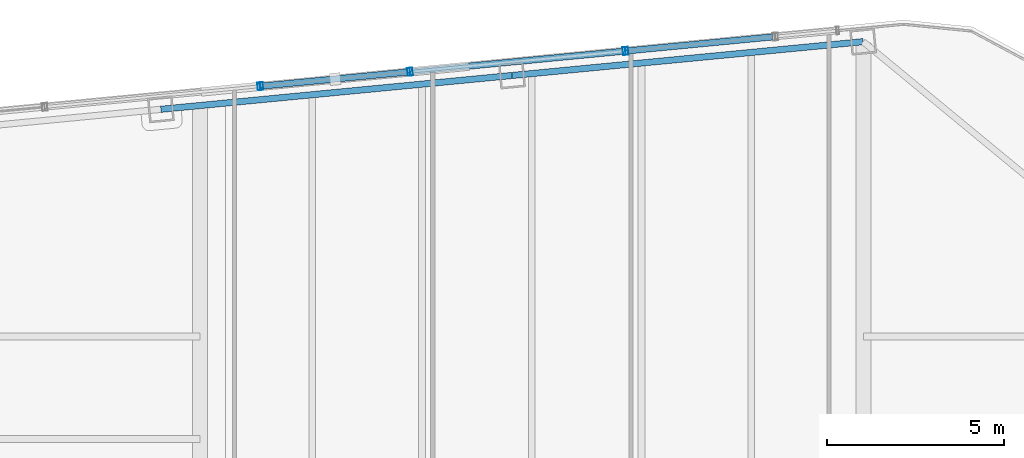
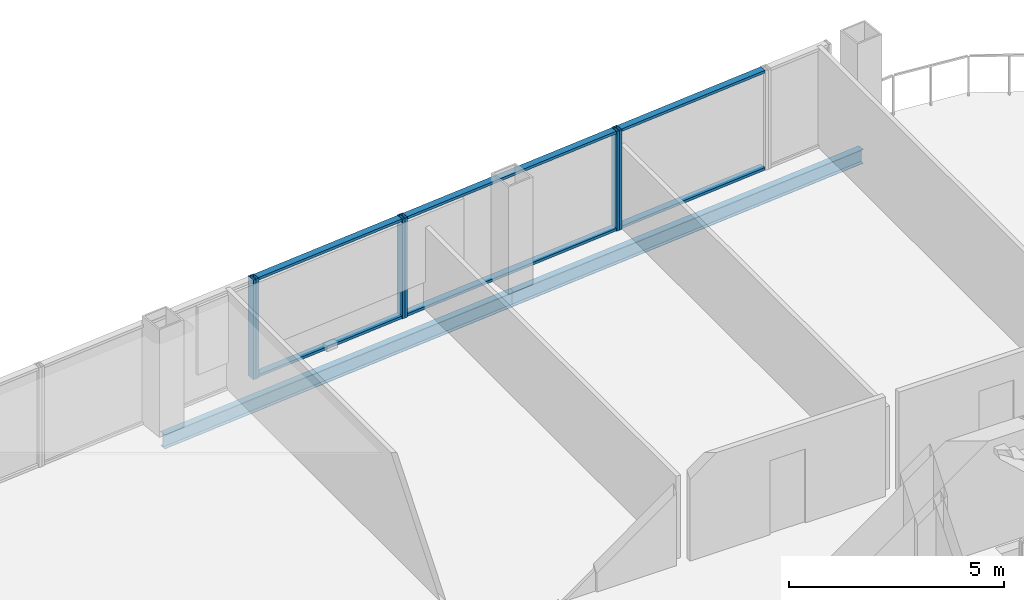
# One storey, part 14 of 22: 12 members, 2 beams, 4 elements without a shape of their own.
"""IFC4 building model written with IfcOpenShell, lengths in metres."""

from ifc_helpers import new_model, si_unit, direction, frame, origin, origin_2d, place, context, subcontext, project, spatial, hollow_rectangle, i_section, extrude, material, layer, layer_set, material_profile, profile_set, type_object, element, aggregate, save


model = new_model("IFC4")

# Units and contexts
model_context = context("Model", 3, precision=1e-05, world=origin(), true_north=direction((0.0, 1.0)))
body_context = subcontext(model_context, "Body", "Model", "MODEL_VIEW")
ifc_project = project(units=[si_unit("LENGTHUNIT", "METRE"), si_unit("AREAUNIT", "SQUARE_METRE"), si_unit("VOLUMEUNIT", "CUBIC_METRE"), si_unit("PLANEANGLEUNIT", "RADIAN"), si_unit("MASSUNIT", "GRAM", prefix="KILO")], contexts=[model_context])

# Site, building, storey
site_placement = place(None, origin())
site = spatial("IfcSite", under=ifc_project, at=site_placement, CompositionType="ELEMENT")
building_placement = place(site_placement, origin())
building = spatial("IfcBuilding", under=site, at=building_placement, Name="Qhalaya Broadcast Tower", CompositionType="ELEMENT")
storey_placement = place(building_placement, frame((0.0, 0.0, 171.39990234375)))
storey = spatial("IfcBuildingStorey", under=building, at=storey_placement, Name="L50", CompositionType="ELEMENT", Elevation=171.39990234375)

# Curtain wall, member
ifc_material_1 = material(Name="Solar-Control Low-E Triple Glazing", Category="glass")
ifc_layer_1 = layer(ifc_material_1, 0.219970703125, Name="Solar-Control Low-E Triple Glazing")
ifc_layer_set_1 = layer_set([ifc_layer_1], Name="Solar-Control Low-E Triple Glazing")
curtain_wall_type_1 = type_object("IfcCurtainWallType", Name="Even-Block 4-Storey Double-Module Curtain Wall CW-03", PredefinedType="NOTDEFINED", material=ifc_layer_set_1)
curtain_wall_1_placement = place(storey_placement, origin())
curtain_wall_1 = element("IfcCurtainWall", 1, at=curtain_wall_1_placement, inside=storey, type_object=curtain_wall_type_1, Name="L50 Unitised Curtain Wall L50-CW-N2", PredefinedType="NOTDEFINED")
ifc_material_2 = material(Name="Anodised Aluminium 6063-T6", Category="aluminium")
ifc_material_profile_1 = material_profile(ifc_material_2, hollow_rectangle(XDim=0.074951171875, YDim=0.219970703125, WallThickness=0.00390625, at=origin_2d()), Name="ALU-MUL 75x220x4")
ifc_profile_set_1 = profile_set([ifc_material_profile_1], Name="Anodised Aluminium 6063-T6")
member_type_1 = type_object("IfcMemberType", Name="Unitised Curtain-Wall Mullion M01", PredefinedType="MULLION", material=ifc_profile_set_1)
member_1_placement = place(storey_placement, frame((2.685791015625, 25.266845703125, 0.0), z_axis=(0.0, 0.0, 1.0), x_axis=(-0.995397122956, -0.095836149814, 0.0)))
member_1 = element("IfcMember", 2, at=member_1_placement, type_object=member_type_1, Name="CW-03 mullion 2", PredefinedType="MULLION", context=body_context, shape_type="SweptSolid", body=[
    extrude(hollow_rectangle(XDim=0.074951171875, YDim=0.219970703125, WallThickness=0.00390625, at=origin_2d()), origin(), (0.0, 0.0, 1.0), 2.830078125),
])

# Curtain wall, members
ifc_material_3 = material(Name="Fired Architectural Terracotta", Category="masonry")
ifc_layer_2 = layer(ifc_material_3, 0.219970703125, Name="Fired Architectural Terracotta")
ifc_layer_set_2 = layer_set([ifc_layer_2], Name="Fired Architectural Terracotta")
curtain_wall_type_2 = type_object("IfcCurtainWallType", Name="Block-Cap Unitised Terracotta Spandrel Wall CW-07", PredefinedType="NOTDEFINED", material=ifc_layer_set_2)
curtain_wall_2_placement = place(storey_placement, origin())
curtain_wall_2 = element("IfcCurtainWall", 3, at=curtain_wall_2_placement, inside=storey, type_object=curtain_wall_type_2, Name="L50 Unitised Curtain Wall L50-CW-N3", PredefinedType="NOTDEFINED")
member_2_placement = place(storey_placement, frame((2.611083984375, 25.259521484375, 0.0), z_axis=(0.0, 0.0, 1.0), x_axis=(-0.995395960619, -0.095848221597, 0.0)))
member_2 = element("IfcMember", 4, at=member_2_placement, type_object=member_type_1, Name="CW-07 mullion 1", PredefinedType="MULLION", context=body_context, shape_type="SweptSolid", body=[
    extrude(hollow_rectangle(XDim=0.074951171875, YDim=0.219970703125, WallThickness=0.00390625, at=origin_2d()), origin(), (0.0, 0.0, 1.0), 2.830078125),
])
member_3_placement = place(storey_placement, frame((-3.403076171875, 24.680419921875, 0.0), z_axis=(0.0, 0.0, 1.0), x_axis=(-0.995395960619, -0.095848221597, 0.0)))
member_3 = element("IfcMember", 5, at=member_3_placement, type_object=member_type_1, Name="CW-07 mullion 2", PredefinedType="MULLION", context=body_context, shape_type="SweptSolid", body=[
    extrude(hollow_rectangle(XDim=0.074951171875, YDim=0.219970703125, WallThickness=0.00390625, at=origin_2d()), origin(), (0.0, 0.0, 1.0), 2.830078125),
])

curtain_wall_3_placement = place(storey_placement, origin())
curtain_wall_3 = element("IfcCurtainWall", 6, at=curtain_wall_3_placement, inside=storey, type_object=curtain_wall_type_1, Name="L50 Unitised Curtain Wall L50-CW-N4", PredefinedType="NOTDEFINED")
member_4_placement = place(storey_placement, frame((-3.477783203125, 24.67333984375, 0.0), z_axis=(0.0, 0.0, 1.0), x_axis=(-0.995395094286, -0.095857218151, 0.0)))
member_4 = element("IfcMember", 7, at=member_4_placement, type_object=member_type_1, Name="CW-03 mullion 1", PredefinedType="MULLION", context=body_context, shape_type="SweptSolid", body=[
    extrude(hollow_rectangle(XDim=0.074951171875, YDim=0.219970703125, WallThickness=0.00390625, at=origin_2d()), origin(), (0.0, 0.0, 1.0), 2.830078125),
])
member_5_placement = place(storey_placement, frame((-7.633544921875, 24.273193359375, 0.0), z_axis=(0.0, 0.0, 1.0), x_axis=(-0.995395094286, -0.095857218151, 0.0)))
member_5 = element("IfcMember", 8, at=member_5_placement, type_object=member_type_1, Name="CW-03 mullion 2", PredefinedType="MULLION", context=body_context, shape_type="SweptSolid", body=[
    extrude(hollow_rectangle(XDim=0.074951171875, YDim=0.219970703125, WallThickness=0.00390625, at=origin_2d()), origin(), (0.0, 0.0, 1.0), 2.830078125),
])

# Curtain wall, member
curtain_wall_4_placement = place(storey_placement, origin())
curtain_wall_4 = element("IfcCurtainWall", 9, at=curtain_wall_4_placement, inside=storey, type_object=curtain_wall_type_2, Name="L50 Unitised Curtain Wall L50-CW-N5", PredefinedType="NOTDEFINED")
member_6_placement = place(storey_placement, frame((-7.708251953125, 24.265869140625, 0.0), z_axis=(0.0, 0.0, 1.0), x_axis=(-0.995395960619, -0.095848221597, 0.0)))
member_6 = element("IfcMember", 10, at=member_6_placement, type_object=member_type_1, Name="CW-07 mullion 1", PredefinedType="MULLION", context=body_context, shape_type="SweptSolid", body=[
    extrude(hollow_rectangle(XDim=0.074951171875, YDim=0.219970703125, WallThickness=0.00390625, at=origin_2d()), origin(), (0.0, 0.0, 1.0), 2.830078125),
])
aggregate(curtain_wall_4, [member_6])

# Member
ifc_material_profile_2 = material_profile(ifc_material_2, hollow_rectangle(XDim=0.074951171875, YDim=0.179931640625, WallThickness=0.00390625, at=origin_2d()), Name="ALU-TRN 75x180x4")
ifc_profile_set_2 = profile_set([ifc_material_profile_2], Name="Anodised Aluminium 6063-T6")
member_type_2 = type_object("IfcMemberType", Name="Unitised Curtain-Wall Transom T01", PredefinedType="USERDEFINED", material=ifc_profile_set_2)
member_7_placement = place(storey_placement, frame((6.80419921875, 25.663330078125, 0.03759765625), z_axis=(-0.995399423143, -0.095812256032, 0.0), x_axis=(0.0, 0.0, 1.0)))
member_7 = element("IfcMember", 11, at=member_7_placement, type_object=member_type_2, Name="CW-03 transom 1.1", ObjectType="TRANSOM", PredefinedType="USERDEFINED", context=body_context, shape_type="SweptSolid", body=[
    extrude(hollow_rectangle(XDim=0.074951171875, YDim=0.179931640625, WallThickness=0.00390625, at=origin_2d()), origin(), (0.0, 0.0, 1.0), 4.099853515625),
])

member_8_placement = place(storey_placement, frame((6.80419921875, 25.663330078125, 2.79248046875), z_axis=(-0.995399423143, -0.095812256032, 0.0), x_axis=(0.0, 0.0, 1.0)))
member_8 = element("IfcMember", 12, at=member_8_placement, type_object=member_type_2, Name="CW-03 transom 1.2", ObjectType="TRANSOM", PredefinedType="USERDEFINED", context=body_context, shape_type="SweptSolid", body=[
    extrude(hollow_rectangle(XDim=0.074951171875, YDim=0.179931640625, WallThickness=0.00390625, at=origin_2d()), origin(), (0.0, 0.0, 1.0), 4.099853515625),
])

aggregate(curtain_wall_1, [member_1, member_7, member_8])

member_9_placement = place(storey_placement, frame((2.57373046875, 25.256103515625, 0.03759765625), z_axis=(-0.995394324344, -0.095865213003, 0.0), x_axis=(0.0, 0.0, 1.0)))
member_9 = element("IfcMember", 13, at=member_9_placement, type_object=member_type_2, Name="CW-07 transom 1.1", ObjectType="TRANSOM", PredefinedType="USERDEFINED", context=body_context, shape_type="SweptSolid", body=[
    extrude(hollow_rectangle(XDim=0.074951171875, YDim=0.179931640625, WallThickness=0.00390625, at=origin_2d()), origin(), (0.0, 0.0, 1.0), 5.967041015625),
])

member_10_placement = place(storey_placement, frame((2.57373046875, 25.256103515625, 2.79248046875), z_axis=(-0.995394324344, -0.095865213003, 0.0), x_axis=(0.0, 0.0, 1.0)))
member_10 = element("IfcMember", 14, at=member_10_placement, type_object=member_type_2, Name="CW-07 transom 1.2", ObjectType="TRANSOM", PredefinedType="USERDEFINED", context=body_context, shape_type="SweptSolid", body=[
    extrude(hollow_rectangle(XDim=0.074951171875, YDim=0.179931640625, WallThickness=0.00390625, at=origin_2d()), origin(), (0.0, 0.0, 1.0), 5.967041015625),
])

aggregate(curtain_wall_2, [member_2, member_3, member_9, member_10])

member_11_placement = place(storey_placement, frame((-3.51513671875, 24.669677734375, 0.03759765625), z_axis=(-0.995393742275, -0.095871256584, 0.0), x_axis=(0.0, 0.0, 1.0)))
member_11 = element("IfcMember", 15, at=member_11_placement, type_object=member_type_2, Name="CW-03 transom 1.1", ObjectType="TRANSOM", PredefinedType="USERDEFINED", context=body_context, shape_type="SweptSolid", body=[
    extrude(hollow_rectangle(XDim=0.074951171875, YDim=0.179931640625, WallThickness=0.00390625, at=origin_2d()), origin(), (0.0, 0.0, 1.0), 4.099853515625),
])

member_12_placement = place(storey_placement, frame((-3.51513671875, 24.669677734375, 2.79248046875), z_axis=(-0.995393742275, -0.095871256584, 0.0), x_axis=(0.0, 0.0, 1.0)))
member_12 = element("IfcMember", 16, at=member_12_placement, type_object=member_type_2, Name="CW-03 transom 1.2", ObjectType="TRANSOM", PredefinedType="USERDEFINED", context=body_context, shape_type="SweptSolid", body=[
    extrude(hollow_rectangle(XDim=0.074951171875, YDim=0.179931640625, WallThickness=0.00390625, at=origin_2d()), origin(), (0.0, 0.0, 1.0), 4.099853515625),
])

aggregate(curtain_wall_3, [member_4, member_5, member_11, member_12])

# Beams
ifc_material_4 = material(Name="Structural Steel ASTM A992 Grade 50", Category="steel")
ifc_material_profile_3 = material_profile(ifc_material_4, i_section(OverallWidth=0.177978515625, OverallDepth=0.406005859375, WebThickness=0.0078125, FlangeThickness=0.0126953125, at=origin_2d()), Name="W16X40")
ifc_profile_set_3 = profile_set([ifc_material_profile_3], Name="Structural Steel ASTM A992 Grade 50")
beam_type = type_object("IfcBeamType", Name="Upper Perimeter Spandrel Beam SP2", PredefinedType="SPANDREL", material=ifc_profile_set_3)
beam_1_placement = place(storey_placement, frame((9.362060546875, 25.52783203125, -0.4228515625), z_axis=(-0.99539573508, -0.095850563819, 0.0), x_axis=(0.095850563819, -0.99539573508, 0.0)))
element("IfcBeam", 17, at=beam_1_placement, inside=storey, type_object=beam_type, Name="L50 SP2 L50-SPR-09", PredefinedType="SPANDREL", context=body_context, shape_type="SweptSolid", body=[
    extrude(i_section(OverallWidth=0.177978515625, OverallDepth=0.406005859375, WebThickness=0.0078125, FlangeThickness=0.0126953125, at=origin_2d()), origin(), (0.0, 0.0, 1.0), 9.966796875),
])
beam_2_placement = place(storey_placement, frame((-0.558837890625, 24.572509765625, -0.4228515625), z_axis=(-0.995395510024, -0.095852900965, 0.0), x_axis=(0.095852900965, -0.995395510024, 0.0)))
element("IfcBeam", 18, at=beam_2_placement, inside=storey, type_object=beam_type, Name="L50 SP2 L50-SPR-10", PredefinedType="SPANDREL", context=body_context, shape_type="SweptSolid", body=[
    extrude(i_section(OverallWidth=0.177978515625, OverallDepth=0.406005859375, WebThickness=0.0078125, FlangeThickness=0.0126953125, at=origin_2d()), origin(), (0.0, 0.0, 1.0), 9.966552734375),
])

save(model, "model.ifc")
